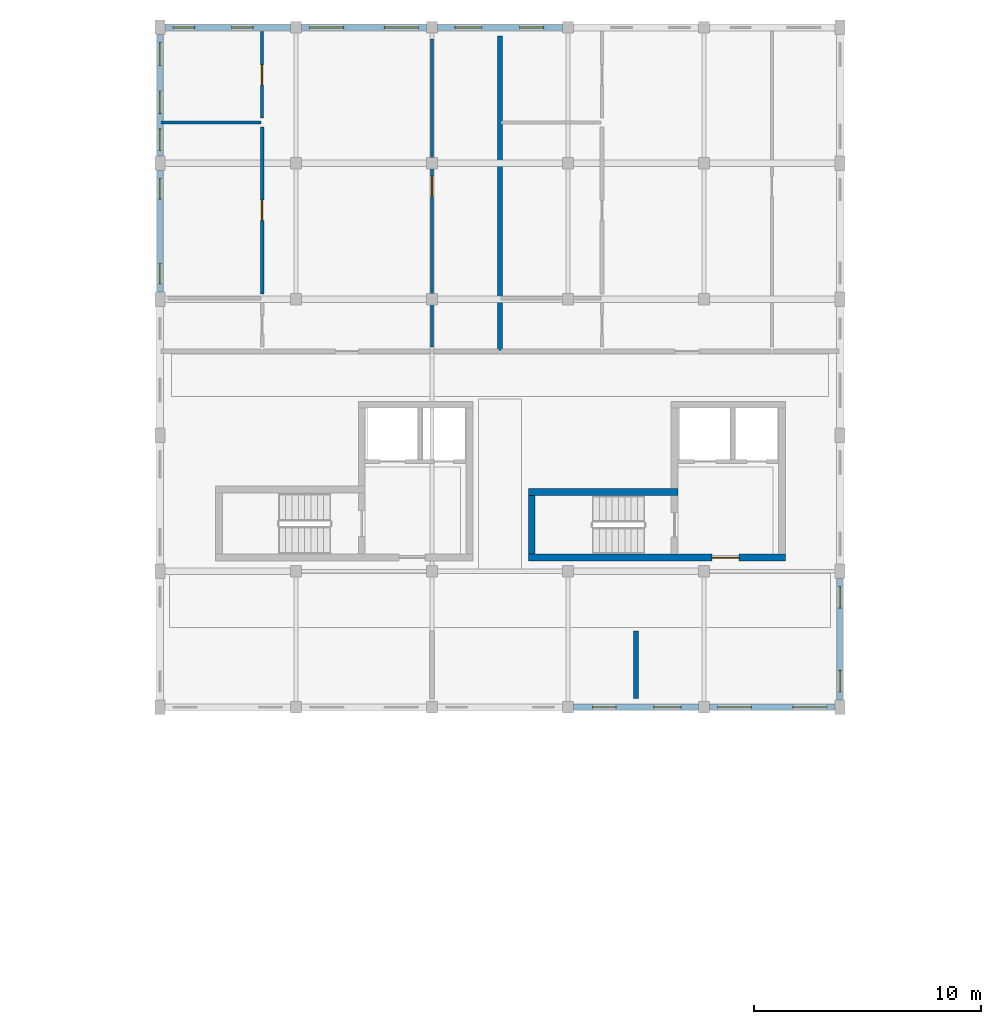
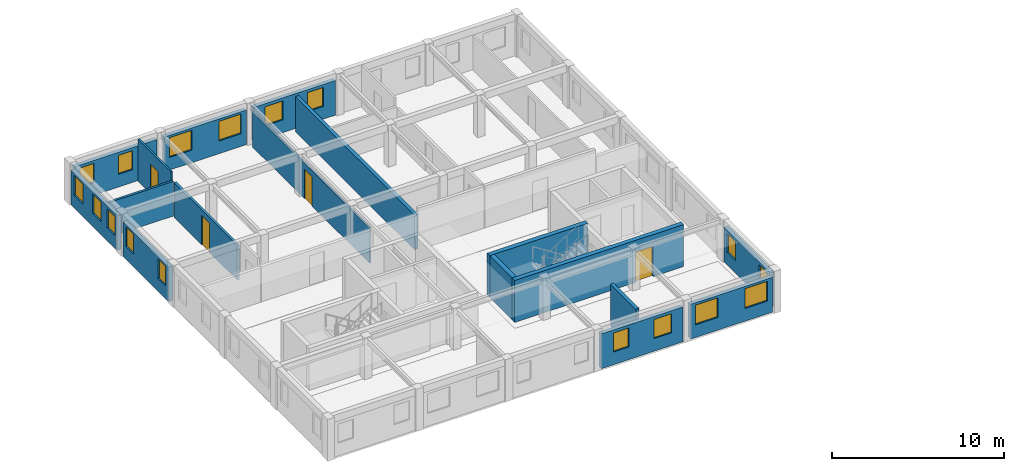
# One storey, part 10 of 17: 17 walls, 17 windows, 4 doors, 21 openings.
"""IFC4 building model written with IfcOpenShell, lengths in metres."""

import ifcopenshell
import ifcopenshell.guid

model = None  # the IFC model being written
_history = None  # IfcOwnerHistory: only IFC2X3 demands one
_inside = {}  # id of a spatial element -> (the spatial element, [elements in it])
_under = {}  # id of a project, library or spatial element -> (it, [spatial elements below it])
_declared = {}  # id of a project -> (the project, [libraries it declares])
_typed = {}  # id of a type object -> (the type object, [elements of that type])
_made_of = {}  # id of a material, layer set ... -> (it, [elements and type objects made of it])


def new_model(schema):
    """Start an empty IFC model of exactly this schema.

    Asked for "IFC4X3", IfcOpenShell would pick the latest addendum, in which some entities
    have other attributes; the version numbers below select the first issue.
    IFC2X3 requires an IfcOwnerHistory on every rooted entity: one is made here for all.
    """
    global model, _history
    if schema == "IFC4X3":
        model = ifcopenshell.file(schema_version=(4, 3, 0, 0))
    else:
        model = ifcopenshell.file(schema=schema)
    _inside.clear()
    _under.clear()
    _declared.clear()
    _typed.clear()
    _made_of.clear()
    _history = None
    if model.schema == "IFC2X3":
        org = make("IfcOrganization", Name="unknown")
        user = make(
            "IfcPersonAndOrganization",
            ThePerson=make("IfcPerson", FamilyName="unknown"),
            TheOrganization=org,
        )
        app = make(
            "IfcApplication",
            ApplicationDeveloper=org,
            Version="unknown",
            ApplicationFullName="unknown",
            ApplicationIdentifier="unknown",
        )
        _history = make(
            "IfcOwnerHistory",
            OwningUser=user,
            OwningApplication=app,
            ChangeAction="ADDED",
            CreationDate=0,
        )
    return model


def make(cls, **values):
    """One entity of the class cls with the attributes given. An attribute that is None is left unset."""
    return model.create_entity(
        cls, **{name: value for name, value in values.items() if value is not None}
    )


def rooted(cls, **values):
    """An entity with a GlobalId (a new one), such as an element, a storey or a relation."""
    return make(cls, GlobalId=ifcopenshell.guid.new(), OwnerHistory=_history, **values)


def si_unit(unit_type, name, prefix=None):
    """IfcSIUnit, for example si_unit("LENGTHUNIT", "METRE", prefix="MILLI")."""
    return make("IfcSIUnit", UnitType=unit_type, Prefix=prefix, Name=name)


def assignment(units):
    """IfcUnitAssignment: the units of a project."""
    return None if units is None else make("IfcUnitAssignment", Units=units)


def point(xyz):
    """IfcCartesianPoint."""
    return None if xyz is None else make("IfcCartesianPoint", Coordinates=xyz)


def direction(xyz):
    """IfcDirection."""
    return None if xyz is None else make("IfcDirection", DirectionRatios=xyz)


def frame(location, z_axis=None, x_axis=None):
    """IfcAxis2Placement3D, a coordinate frame: its origin and axes. An axis left out is left unset."""
    return make(
        "IfcAxis2Placement3D",
        Location=point(location),
        Axis=direction(z_axis),
        RefDirection=direction(x_axis),
    )


def frame_2d(location, x_axis=None):
    """IfcAxis2Placement2D, a coordinate frame in the plane: its origin and x axis."""
    return make(
        "IfcAxis2Placement2D", Location=point(location), RefDirection=direction(x_axis)
    )


def origin():
    """The frame at (0, 0, 0) with its axes left unset."""
    return frame((0.0, 0.0, 0.0))


def place(relative_to, where):
    """IfcLocalPlacement: puts the frame where relative to a parent placement (None: the world)."""
    return make(
        "IfcLocalPlacement", PlacementRelTo=relative_to, RelativePlacement=where
    )


def context(
    kind, dimensions, precision=None, world=None, true_north=None, identifier=None
):
    """IfcGeometricRepresentationContext, for example the 3D "Model" context."""
    return make(
        "IfcGeometricRepresentationContext",
        ContextIdentifier=identifier,
        ContextType=kind,
        CoordinateSpaceDimension=dimensions,
        Precision=precision,
        WorldCoordinateSystem=world,
        TrueNorth=true_north,
    )


def subcontext(parent, identifier, kind, view, scale=None):
    """IfcGeometricRepresentationSubContext, for example "Body" below "Model"."""
    return make(
        "IfcGeometricRepresentationSubContext",
        ContextIdentifier=identifier,
        ContextType=kind,
        ParentContext=parent,
        TargetScale=scale,
        TargetView=view,
    )


def project(units=None, contexts=None):
    """IfcProject with its units and contexts."""
    return rooted(
        "IfcProject",
        Name="project",
        RepresentationContexts=contexts,
        UnitsInContext=assignment(units),
    )


def spatial(cls, under=None, at=None, **own):
    """A site, building, storey or space (cls), placed at a placement, below another one or the project."""
    s = rooted(cls, ObjectPlacement=at, **own)
    if under is not None:
        _under.setdefault(under.id(), (under, []))[1].append(s)
    return s


def profile(cls, at=None, kind="AREA", **sizes):
    """A parametric profile (cls). Its sizes go by their IFC names, for example OverallWidth=200.0."""
    return make(cls, ProfileType=kind, Position=at, **sizes)


def rectangle(**sizes):
    """IfcRectangleProfileDef."""
    return profile("IfcRectangleProfileDef", **sizes)


def extrude(swept, where, along, depth):
    """IfcExtrudedAreaSolid: the profile swept, set in the frame where, extruded along a direction by depth."""
    return make(
        "IfcExtrudedAreaSolid",
        SweptArea=swept,
        Position=where,
        ExtrudedDirection=direction(along),
        Depth=depth,
    )


def shape(context_of_items, identifier, shape_type, items):
    """IfcShapeRepresentation: the items that make up one representation, for example the "Body"."""
    return make(
        "IfcShapeRepresentation",
        ContextOfItems=context_of_items,
        RepresentationIdentifier=identifier,
        RepresentationType=shape_type,
        Items=items,
    )


def material(Name=None, Category=None):
    """IfcMaterial."""
    return make("IfcMaterial", Name=Name, Category=Category)


def layer(
    of_material, thickness, ventilated=None, Name=None, Category=None, Priority=None
):
    """IfcMaterialLayer: one layer of a wall or slab, of a material (None: an air gap)."""
    return make(
        "IfcMaterialLayer",
        Material=of_material,
        LayerThickness=thickness,
        IsVentilated=ventilated,
        Name=Name,
        Category=Category,
        Priority=Priority,
    )


def layer_set(layers, Name=None):
    """IfcMaterialLayerSet."""
    return make("IfcMaterialLayerSet", MaterialLayers=layers, LayerSetName=Name)


def made_of(thing, what):
    """Note that an element or type object is made of a material, layer set ...; save() writes the relation."""
    if what is not None:
        _made_of.setdefault(what.id(), (what, []))[1].append(thing)
    return thing


def type_object(cls, material=None, **own):
    """A type object (cls), such as IfcWallType, which elements share."""
    return made_of(rooted(cls, **own), material)


def element(
    cls,
    number,
    at=None,
    inside=None,
    cuts=None,
    type_object=None,
    material=None,
    context=None,
    identifier="Body",
    shape_type=None,
    held_by="IfcProductDefinitionShape",
    body=None,
    shapes=None,
    **own,
):
    """One element of the class cls, such as IfcWall. Its Tag is "e" and its number.

    at: its placement. inside: the storey or other place that contains it. cuts: it is an
    opening in that element (IfcRelVoidsElement). A single representation is given by context,
    identifier, shape_type and body (its items); several are given by shapes. held_by: the class
    of the entity that holds the representations. save() writes the other relations.
    """
    e = rooted(cls, Tag="e%d" % number, ObjectPlacement=at, **own)
    if body is not None:
        shapes = [shape(context, identifier, shape_type, body)]
    if shapes is not None:
        e.Representation = make(held_by, Representations=shapes)
    if inside is not None:
        _inside.setdefault(inside.id(), (inside, []))[1].append(e)
    if cuts is not None:
        rooted(
            "IfcRelVoidsElement", RelatingBuildingElement=cuts, RelatedOpeningElement=e
        )
    if type_object is not None:
        _typed.setdefault(type_object.id(), (type_object, []))[1].append(e)
    return made_of(e, material)


def fill(opening, filler):
    """IfcRelFillsElement: the door or window that sits in an opening."""
    return rooted(
        "IfcRelFillsElement",
        RelatingOpeningElement=opening,
        RelatedBuildingElement=filler,
    )


def aggregate(whole, parts):
    """IfcRelAggregates: a whole, such as a stair, and the parts it consists of."""
    return rooted("IfcRelAggregates", RelatingObject=whole, RelatedObjects=parts)


def save(model, path):
    """Write the relations noted so far, then the file.

    IfcRelAggregates (storeys below a building ...), IfcRelContainedInSpatialStructure (elements
    in a storey), IfcRelDefinesByType, IfcRelAssociatesMaterial and IfcRelDeclares: one each for
    every whole, place, type object, material and project.
    """
    for whole, parts in _under.values():
        aggregate(whole, parts)
    for where, things in _inside.values():
        rooted(
            "IfcRelContainedInSpatialStructure",
            RelatedElements=things,
            RelatingStructure=where,
        )
    for kind, things in _typed.values():
        rooted("IfcRelDefinesByType", RelatedObjects=things, RelatingType=kind)
    for what, things in _made_of.values():
        rooted("IfcRelAssociatesMaterial", RelatedObjects=things, RelatingMaterial=what)
    for by, libraries in _declared.values():
        rooted("IfcRelDeclares", RelatingContext=by, RelatedDefinitions=libraries)
    model.write(path)


model = new_model("IFC4")

# Units and contexts
model_context = context("Model", 3, precision=1e-05, world=origin(), true_north=direction((0.0, 1.0)))
body_context = subcontext(model_context, "Body", "Model", "MODEL_VIEW")
ifc_project = project(units=[si_unit("LENGTHUNIT", "METRE"), si_unit("AREAUNIT", "SQUARE_METRE"), si_unit("VOLUMEUNIT", "CUBIC_METRE"), si_unit("PLANEANGLEUNIT", "RADIAN"), si_unit("MASSUNIT", "GRAM", prefix="KILO"), si_unit("POWERUNIT", "WATT"), si_unit("THERMODYNAMICTEMPERATUREUNIT", "KELVIN")], contexts=[model_context])

# Site, building, storey
site_placement = place(None, origin())
site = spatial("IfcSite", under=ifc_project, at=site_placement, CompositionType="ELEMENT")
building_placement = place(site_placement, origin())
building = spatial("IfcBuilding", under=site, at=building_placement, Name="Ruvembo Vaulted Housing Court", CompositionType="ELEMENT")
storey_placement = place(building_placement, frame((0.0, 0.0, 30.10009765625)))
storey = spatial("IfcBuildingStorey", under=building, at=storey_placement, Name="L09", CompositionType="ELEMENT", Elevation=30.10009765625)

# Wall, opening, door
ifc_material_1 = material(Name="Concrete C35/45", Category="concrete")
ifc_layer_1 = layer(ifc_material_1, 0.300048828125, Name="Concrete C35/45")
ifc_layer_set_1 = layer_set([ifc_layer_1], Name="Concrete C35/45")
wall_type_1 = type_object("IfcWallType", Name="WL-CORE-300", PredefinedType="SHEAR", material=ifc_layer_set_1)
wall_1_placement = place(storey_placement, frame((64.25, 90.60009765625, 0.0), z_axis=(0.0, 0.0, 1.0), x_axis=(1.0, 0.0, 0.0)))
wall_1 = element("IfcWall", 1, at=wall_1_placement, inside=storey, type_object=wall_type_1, Name="Core B2 L09 South Shear Wall", PredefinedType="SHEAR", context=body_context, shape_type="SweptSolid", body=[
    extrude(rectangle(XDim=11.35009765625, YDim=0.300048828125, at=frame_2d((5.675048828125, 0.0))), origin(), (0.0, 0.0, 1.0), 2.98486328125),
])
opening_1_placement = place(wall_1_placement, frame((8.10009765625, 0.0, 0.0)))
opening_1 = element("IfcOpeningElement", 2, at=opening_1_placement, cuts=wall_1, Name="Opening LD3", PredefinedType="OPENING", context=body_context, shape_type="SweptSolid", body=[
    extrude(rectangle(XDim=1.199951171875, YDim=2.14990234375, at=frame_2d((0.60009765625, 1.074951171875))), frame((0.0, 0.159912109375, 0.0), z_axis=(0.0, -1.0, 0.0), x_axis=(1.0, 0.0, 0.0)), (0.0, 0.0, 1.0), 0.320068359375),
])
ifc_material_2 = material(Name="Galvanised Painted Steel", Category="steel")
door_type_1 = type_object("IfcDoorType", Name="DR-LOB-1200x2150", OperationType="NOTDEFINED", PredefinedType="DOOR", material=ifc_material_2)
door_1_placement = place(opening_1_placement, origin())
door_1 = element("IfcDoor", 3, at=door_1_placement, inside=storey, type_object=door_type_1, Name="Core B2 L09 Lobby Fire Door", OperationType="SINGLE_SWING_RIGHT", OverallHeight=2.14990234375, OverallWidth=1.199951171875, PredefinedType="DOOR", context=body_context, shape_type="SweptSolid", body=[
    extrude(rectangle(XDim=1.199951171875, YDim=2.14990234375, at=frame_2d((0.60009765625, 1.074951171875))), frame((0.0, 0.02490234375, 0.0), z_axis=(0.0, -1.0, 0.0), x_axis=(1.0, 0.0, 0.0)), (0.0, 0.0, 1.0), 0.050048828125),
])
fill(opening_1, door_1)

# Walls
wall_2_placement = place(storey_placement, frame((70.85009765625, 93.5, 0.0), z_axis=(0.0, 0.0, 1.0), x_axis=(-1.0, 0.0, 0.0)))
element("IfcWall", 4, at=wall_2_placement, inside=storey, type_object=wall_type_1, Name="Core B2 L09 Stair North Shear Wall", PredefinedType="SHEAR", context=body_context, shape_type="SweptSolid", body=[
    extrude(rectangle(XDim=6.60009765625, YDim=0.300048828125, at=frame_2d((3.300048828125, 0.0))), origin(), (0.0, 0.0, 1.0), 2.98486328125),
])
wall_3_placement = place(storey_placement, frame((64.39990234375, 93.35009765625, 0.0), z_axis=(0.0, 0.0, 1.0), x_axis=(0.0, -1.0, 0.0)))
element("IfcWall", 5, at=wall_3_placement, inside=storey, type_object=wall_type_1, Name="Core B2 L09 Stair West Shear Wall", PredefinedType="SHEAR", context=body_context, shape_type="SweptSolid", body=[
    extrude(rectangle(XDim=2.60009765625, YDim=0.300048828125, at=frame_2d((1.300048828125, 0.0))), origin(), (0.0, 0.0, 1.0), 2.98486328125),
])
ifc_material_3 = material(Name="Acoustic Masonry Demising 230", Category="masonry")
ifc_layer_2 = layer(ifc_material_3, 0.22998046875, Name="Acoustic Masonry Demising 230")
ifc_layer_set_2 = layer_set([ifc_layer_2], Name="Acoustic Masonry Demising 230")
wall_type_2 = type_object("IfcWallType", Name="WL-DEM-230", PredefinedType="SOLIDWALL", material=ifc_layer_set_2)
wall_4_placement = place(storey_placement, frame((69.0, 84.389892578125, 0.0), z_axis=(0.0, 0.0, 1.0), x_axis=(0.0, 1.0, 0.0)))
element("IfcWall", 6, at=wall_4_placement, inside=storey, type_object=wall_type_2, Name="L09 Demising B-L09-S2 WL-INT-L09-02179", PredefinedType="SOLIDWALL", context=body_context, shape_type="SweptSolid", body=[
    extrude(rectangle(XDim=2.97021484375, YDim=0.22998046875, at=frame_2d((1.485107421875, 0.0))), origin(), (0.0, 0.0, 1.0), 2.98486328125),
])
wall_5_placement = place(storey_placement, frame((63.0, 99.739990234375, 0.0), z_axis=(0.0, 0.0, 1.0), x_axis=(0.0, 1.0, 0.0)))
element("IfcWall", 7, at=wall_5_placement, inside=storey, type_object=wall_type_2, Name="L09 Demising B-L09-N1 WL-INT-L09-02180", PredefinedType="SOLIDWALL", context=body_context, shape_type="SweptSolid", body=[
    extrude(rectangle(XDim=13.8701171875, YDim=0.22998046875, at=frame_2d((6.93505859375, 0.0))), origin(), (0.0, 0.0, 1.0), 2.466796875),
])

# Wall, openings, windows
ifc_material_4 = material(Name="Rendered Masonry 260", Category="masonry")
ifc_layer_3 = layer(ifc_material_4, 0.260009765625, Name="Rendered Masonry 260")
ifc_layer_set_3 = layer_set([ifc_layer_3], Name="Rendered Masonry 260")
wall_type_3 = type_object("IfcWallType", Name="WL-EXT-260", PredefinedType="STANDARD", material=ifc_layer_set_3)
wall_6_placement = place(storey_placement, frame((66.25, 84.0, 0.0), z_axis=(0.0, 0.0, 1.0), x_axis=(1.0, 0.0, 0.0)))
wall_6 = element("IfcWall", 8, at=wall_6_placement, inside=storey, type_object=wall_type_3, Name="Block B L09 Exterior Wall COURTYARD #4", PredefinedType="STANDARD", context=body_context, shape_type="SweptSolid", body=[
    extrude(rectangle(XDim=5.5, YDim=0.260009765625, at=frame_2d((2.75, 0.0))), origin(), (0.0, 0.0, 1.0), 2.466796875),
])
opening_2_placement = place(wall_6_placement, frame((0.830078125, 0.0, 0.89990234375)))
opening_2 = element("IfcOpeningElement", 9, at=opening_2_placement, cuts=wall_6, Name="Opening W09", PredefinedType="OPENING", context=body_context, shape_type="SweptSolid", body=[
    extrude(rectangle(XDim=1.050048828125, YDim=1.35009765625, at=frame_2d((0.52490234375, 0.675048828125))), frame((0.0, 0.139892578125, 0.0), z_axis=(0.0, -1.0, 0.0), x_axis=(1.0, 0.0, 0.0)), (0.0, 0.0, 1.0), 0.280029296875),
])
opening_3_placement = place(wall_6_placement, frame((3.544921875, 0.0, 0.89990234375)))
opening_3 = element("IfcOpeningElement", 10, at=opening_3_placement, cuts=wall_6, Name="Opening W12", PredefinedType="OPENING", context=body_context, shape_type="SweptSolid", body=[
    extrude(rectangle(XDim=1.199951171875, YDim=1.35009765625, at=frame_2d((0.60009765625, 0.675048828125))), frame((0.0, 0.139892578125, 0.0), z_axis=(0.0, -1.0, 0.0), x_axis=(1.0, 0.0, 0.0)), (0.0, 0.0, 1.0), 0.280029296875),
])
ifc_material_5 = material(Name="Double Solar-Control Glazing in Aluminium Frame", Category="aluminium")
window_type_1 = type_object("IfcWindowType", Name="WIN-1050x1350", PartitioningType="SINGLE_PANEL", PredefinedType="WINDOW", material=ifc_material_5)
window_1_placement = place(opening_2_placement, origin())
window_1 = element("IfcWindow", 11, at=window_1_placement, inside=storey, type_object=window_type_1, Name="Block B L09 Window #993", OverallHeight=1.35009765625, OverallWidth=1.050048828125, PartitioningType="SINGLE_PANEL", PredefinedType="WINDOW", context=body_context, shape_type="SweptSolid", body=[
    extrude(rectangle(XDim=1.050048828125, YDim=1.35009765625, at=frame_2d((0.52490234375, 0.675048828125))), frame((0.0, 0.030029296875, 0.0), z_axis=(0.0, -1.0, 0.0), x_axis=(1.0, 0.0, 0.0)), (0.0, 0.0, 1.0), 0.06005859375),
])
fill(opening_2, window_1)
window_type_2 = type_object("IfcWindowType", Name="WIN-1200x1350", PartitioningType="SINGLE_PANEL", PredefinedType="WINDOW", material=ifc_material_5)
window_2_placement = place(opening_3_placement, origin())
window_2 = element("IfcWindow", 12, at=window_2_placement, inside=storey, type_object=window_type_2, Name="Block B L09 Window #994", OverallHeight=1.35009765625, OverallWidth=1.199951171875, PartitioningType="SINGLE_PANEL", PredefinedType="WINDOW", context=body_context, shape_type="SweptSolid", body=[
    extrude(rectangle(XDim=1.199951171875, YDim=1.35009765625, at=frame_2d((0.60009765625, 0.675048828125))), frame((0.0, 0.030029296875, 0.0), z_axis=(0.0, -1.0, 0.0), x_axis=(1.0, 0.0, 0.0)), (0.0, 0.0, 1.0), 0.06005859375),
])
fill(opening_3, window_2)

wall_7_placement = place(storey_placement, frame((72.25, 84.0, 0.0), z_axis=(0.0, 0.0, 1.0), x_axis=(1.0, 0.0, 0.0)))
wall_7 = element("IfcWall", 13, at=wall_7_placement, inside=storey, type_object=wall_type_3, Name="Block B L09 Exterior Wall COURTYARD #5", PredefinedType="STANDARD", context=body_context, shape_type="SweptSolid", body=[
    extrude(rectangle(XDim=5.52490234375, YDim=0.260009765625, at=frame_2d((2.762451171875, 0.0))), origin(), (0.0, 0.0, 1.0), 2.466796875),
])
opening_4_placement = place(wall_7_placement, frame((0.35009765625, 0.0, 0.89990234375)))
opening_4 = element("IfcOpeningElement", 14, at=opening_4_placement, cuts=wall_7, Name="Opening W18", PredefinedType="OPENING", context=body_context, shape_type="SweptSolid", body=[
    extrude(rectangle(XDim=1.5, YDim=1.39990234375, at=frame_2d((0.75, 0.699951171875))), frame((0.0, 0.139892578125, 0.0), z_axis=(0.0, -1.0, 0.0), x_axis=(1.0, 0.0, 0.0)), (0.0, 0.0, 1.0), 0.280029296875),
])
opening_5_placement = place(wall_7_placement, frame((3.675048828125, 0.0, 0.89990234375)))
opening_5 = element("IfcOpeningElement", 15, at=opening_5_placement, cuts=wall_7, Name="Opening W18", PredefinedType="OPENING", context=body_context, shape_type="SweptSolid", body=[
    extrude(rectangle(XDim=1.5, YDim=1.39990234375, at=frame_2d((0.75, 0.699951171875))), frame((0.0, 0.139892578125, 0.0), z_axis=(0.0, -1.0, 0.0), x_axis=(1.0, 0.0, 0.0)), (0.0, 0.0, 1.0), 0.280029296875),
])
window_type_3 = type_object("IfcWindowType", Name="WIN-1500x1400", PartitioningType="SINGLE_PANEL", PredefinedType="WINDOW", material=ifc_material_5)
window_3_placement = place(opening_4_placement, origin())
window_3 = element("IfcWindow", 16, at=window_3_placement, inside=storey, type_object=window_type_3, Name="Block B L09 Window #995", OverallHeight=1.39990234375, OverallWidth=1.5, PartitioningType="SINGLE_PANEL", PredefinedType="WINDOW", context=body_context, shape_type="SweptSolid", body=[
    extrude(rectangle(XDim=1.5, YDim=1.39990234375, at=frame_2d((0.75, 0.699951171875))), frame((0.0, 0.030029296875, 0.0), z_axis=(0.0, -1.0, 0.0), x_axis=(1.0, 0.0, 0.0)), (0.0, 0.0, 1.0), 0.06005859375),
])
fill(opening_4, window_3)
window_4_placement = place(opening_5_placement, origin())
window_4 = element("IfcWindow", 17, at=window_4_placement, inside=storey, type_object=window_type_3, Name="Block B L09 Window #996", OverallHeight=1.39990234375, OverallWidth=1.5, PartitioningType="SINGLE_PANEL", PredefinedType="WINDOW", context=body_context, shape_type="SweptSolid", body=[
    extrude(rectangle(XDim=1.5, YDim=1.39990234375, at=frame_2d((0.75, 0.699951171875))), frame((0.0, 0.030029296875, 0.0), z_axis=(0.0, -1.0, 0.0), x_axis=(1.0, 0.0, 0.0)), (0.0, 0.0, 1.0), 0.06005859375),
])
fill(opening_5, window_4)

wall_8_placement = place(storey_placement, frame((78.0, 84.324951171875, 0.0), z_axis=(0.0, 0.0, 1.0), x_axis=(0.0, 1.0, 0.0)))
wall_8 = element("IfcWall", 18, at=wall_8_placement, inside=storey, type_object=wall_type_3, Name="Block B L09 Exterior Wall EAST #1", PredefinedType="STANDARD", context=body_context, shape_type="SweptSolid", body=[
    extrude(rectangle(XDim=5.35009765625, YDim=0.260009765625, at=frame_2d((2.675048828125, 0.0))), origin(), (0.0, 0.0, 1.0), 2.466796875),
])
opening_6_placement = place(wall_8_placement, frame((0.35009765625, 0.0, 0.89990234375)))
opening_6 = element("IfcOpeningElement", 19, at=opening_6_placement, cuts=wall_8, Name="Opening W07", PredefinedType="OPENING", context=body_context, shape_type="SweptSolid", body=[
    extrude(rectangle(XDim=0.949951171875, YDim=1.35009765625, at=frame_2d((0.47509765625, 0.675048828125))), frame((0.0, 0.139892578125, 0.0), z_axis=(0.0, -1.0, 0.0), x_axis=(1.0, 0.0, 0.0)), (0.0, 0.0, 1.0), 0.280029296875),
])
opening_7_placement = place(wall_8_placement, frame((4.050048828125, 0.0, 0.89990234375)))
opening_7 = element("IfcOpeningElement", 20, at=opening_7_placement, cuts=wall_8, Name="Opening W07", PredefinedType="OPENING", context=body_context, shape_type="SweptSolid", body=[
    extrude(rectangle(XDim=0.949951171875, YDim=1.35009765625, at=frame_2d((0.47509765625, 0.675048828125))), frame((0.0, 0.139892578125, 0.0), z_axis=(0.0, -1.0, 0.0), x_axis=(1.0, 0.0, 0.0)), (0.0, 0.0, 1.0), 0.280029296875),
])
window_type_4 = type_object("IfcWindowType", Name="WIN-0950x1350", PartitioningType="SINGLE_PANEL", PredefinedType="WINDOW", material=ifc_material_5)
window_5_placement = place(opening_6_placement, origin())
window_5 = element("IfcWindow", 21, at=window_5_placement, inside=storey, type_object=window_type_4, Name="Block B L09 Window #997", OverallHeight=1.35009765625, OverallWidth=0.949951171875, PartitioningType="SINGLE_PANEL", PredefinedType="WINDOW", context=body_context, shape_type="SweptSolid", body=[
    extrude(rectangle(XDim=0.949951171875, YDim=1.35009765625, at=frame_2d((0.47509765625, 0.675048828125))), frame((0.0, 0.030029296875, 0.0), z_axis=(0.0, -1.0, 0.0), x_axis=(1.0, 0.0, 0.0)), (0.0, 0.0, 1.0), 0.06005859375),
])
fill(opening_6, window_5)
window_6_placement = place(opening_7_placement, origin())
window_6 = element("IfcWindow", 22, at=window_6_placement, inside=storey, type_object=window_type_4, Name="Block B L09 Window #998", OverallHeight=1.35009765625, OverallWidth=0.949951171875, PartitioningType="SINGLE_PANEL", PredefinedType="WINDOW", context=body_context, shape_type="SweptSolid", body=[
    extrude(rectangle(XDim=0.949951171875, YDim=1.35009765625, at=frame_2d((0.47509765625, 0.675048828125))), frame((0.0, 0.030029296875, 0.0), z_axis=(0.0, -1.0, 0.0), x_axis=(1.0, 0.0, 0.0)), (0.0, 0.0, 1.0), 0.06005859375),
])
fill(opening_7, window_6)

wall_9_placement = place(storey_placement, frame((65.75, 114.0, 0.0), z_axis=(0.0, 0.0, 1.0), x_axis=(-1.0, 0.0, 0.0)))
wall_9 = element("IfcWall", 23, at=wall_9_placement, inside=storey, type_object=wall_type_3, Name="Block B L09 Exterior Wall STREET #3", PredefinedType="STANDARD", context=body_context, shape_type="SweptSolid", body=[
    extrude(rectangle(XDim=5.5, YDim=0.260009765625, at=frame_2d((2.75, 0.0))), origin(), (0.0, 0.0, 1.0), 2.466796875),
])
opening_8_placement = place(wall_9_placement, frame((0.830078125, 0.0, 0.89990234375)))
opening_8 = element("IfcOpeningElement", 24, at=opening_8_placement, cuts=wall_9, Name="Opening W09", PredefinedType="OPENING", context=body_context, shape_type="SweptSolid", body=[
    extrude(rectangle(XDim=1.050048828125, YDim=1.35009765625, at=frame_2d((0.52490234375, 0.675048828125))), frame((0.0, 0.139892578125, 0.0), z_axis=(0.0, -1.0, 0.0), x_axis=(1.0, 0.0, 0.0)), (0.0, 0.0, 1.0), 0.280029296875),
])
opening_9_placement = place(wall_9_placement, frame((3.544921875, 0.0, 0.89990234375)))
opening_9 = element("IfcOpeningElement", 25, at=opening_9_placement, cuts=wall_9, Name="Opening W12", PredefinedType="OPENING", context=body_context, shape_type="SweptSolid", body=[
    extrude(rectangle(XDim=1.199951171875, YDim=1.35009765625, at=frame_2d((0.60009765625, 0.675048828125))), frame((0.0, 0.139892578125, 0.0), z_axis=(0.0, -1.0, 0.0), x_axis=(1.0, 0.0, 0.0)), (0.0, 0.0, 1.0), 0.280029296875),
])
window_7_placement = place(opening_8_placement, origin())
window_7 = element("IfcWindow", 26, at=window_7_placement, inside=storey, type_object=window_type_1, Name="Block B L09 Window #1011", OverallHeight=1.35009765625, OverallWidth=1.050048828125, PartitioningType="SINGLE_PANEL", PredefinedType="WINDOW", context=body_context, shape_type="SweptSolid", body=[
    extrude(rectangle(XDim=1.050048828125, YDim=1.35009765625, at=frame_2d((0.52490234375, 0.675048828125))), frame((0.0, 0.030029296875, 0.0), z_axis=(0.0, -1.0, 0.0), x_axis=(1.0, 0.0, 0.0)), (0.0, 0.0, 1.0), 0.06005859375),
])
fill(opening_8, window_7)
window_8_placement = place(opening_9_placement, origin())
window_8 = element("IfcWindow", 27, at=window_8_placement, inside=storey, type_object=window_type_2, Name="Block B L09 Window #1012", OverallHeight=1.35009765625, OverallWidth=1.199951171875, PartitioningType="SINGLE_PANEL", PredefinedType="WINDOW", context=body_context, shape_type="SweptSolid", body=[
    extrude(rectangle(XDim=1.199951171875, YDim=1.35009765625, at=frame_2d((0.60009765625, 0.675048828125))), frame((0.0, 0.030029296875, 0.0), z_axis=(0.0, -1.0, 0.0), x_axis=(1.0, 0.0, 0.0)), (0.0, 0.0, 1.0), 0.06005859375),
])
fill(opening_9, window_8)

wall_10_placement = place(storey_placement, frame((59.75, 114.0, 0.0), z_axis=(0.0, 0.0, 1.0), x_axis=(-1.0, 0.0, 0.0)))
wall_10 = element("IfcWall", 28, at=wall_10_placement, inside=storey, type_object=wall_type_3, Name="Block B L09 Exterior Wall STREET #4", PredefinedType="STANDARD", context=body_context, shape_type="SweptSolid", body=[
    extrude(rectangle(XDim=5.5, YDim=0.260009765625, at=frame_2d((2.75, 0.0))), origin(), (0.0, 0.0, 1.0), 2.466796875),
])
opening_10_placement = place(wall_10_placement, frame((0.35009765625, 0.0, 0.89990234375)))
opening_10 = element("IfcOpeningElement", 29, at=opening_10_placement, cuts=wall_10, Name="Opening W18", PredefinedType="OPENING", context=body_context, shape_type="SweptSolid", body=[
    extrude(rectangle(XDim=1.5, YDim=1.39990234375, at=frame_2d((0.75, 0.699951171875))), frame((0.0, 0.139892578125, 0.0), z_axis=(0.0, -1.0, 0.0), x_axis=(1.0, 0.0, 0.0)), (0.0, 0.0, 1.0), 0.280029296875),
])
opening_11_placement = place(wall_10_placement, frame((3.64990234375, 0.0, 0.89990234375)))
opening_11 = element("IfcOpeningElement", 30, at=opening_11_placement, cuts=wall_10, Name="Opening W18", PredefinedType="OPENING", context=body_context, shape_type="SweptSolid", body=[
    extrude(rectangle(XDim=1.5, YDim=1.39990234375, at=frame_2d((0.75, 0.699951171875))), frame((0.0, 0.139892578125, 0.0), z_axis=(0.0, -1.0, 0.0), x_axis=(1.0, 0.0, 0.0)), (0.0, 0.0, 1.0), 0.280029296875),
])
window_9_placement = place(opening_10_placement, origin())
window_9 = element("IfcWindow", 31, at=window_9_placement, inside=storey, type_object=window_type_3, Name="Block B L09 Window #1013", OverallHeight=1.39990234375, OverallWidth=1.5, PartitioningType="SINGLE_PANEL", PredefinedType="WINDOW", context=body_context, shape_type="SweptSolid", body=[
    extrude(rectangle(XDim=1.5, YDim=1.39990234375, at=frame_2d((0.75, 0.699951171875))), frame((0.0, 0.030029296875, 0.0), z_axis=(0.0, -1.0, 0.0), x_axis=(1.0, 0.0, 0.0)), (0.0, 0.0, 1.0), 0.06005859375),
])
fill(opening_10, window_9)
window_10_placement = place(opening_11_placement, origin())
window_10 = element("IfcWindow", 32, at=window_10_placement, inside=storey, type_object=window_type_3, Name="Block B L09 Window #1014", OverallHeight=1.39990234375, OverallWidth=1.5, PartitioningType="SINGLE_PANEL", PredefinedType="WINDOW", context=body_context, shape_type="SweptSolid", body=[
    extrude(rectangle(XDim=1.5, YDim=1.39990234375, at=frame_2d((0.75, 0.699951171875))), frame((0.0, 0.030029296875, 0.0), z_axis=(0.0, -1.0, 0.0), x_axis=(1.0, 0.0, 0.0)), (0.0, 0.0, 1.0), 0.06005859375),
])
fill(opening_11, window_10)

wall_11_placement = place(storey_placement, frame((53.75, 114.0, 0.0), z_axis=(0.0, 0.0, 1.0), x_axis=(-1.0, 0.0, 0.0)))
wall_11 = element("IfcWall", 33, at=wall_11_placement, inside=storey, type_object=wall_type_3, Name="Block B L09 Exterior Wall STREET #5", PredefinedType="STANDARD", context=body_context, shape_type="SweptSolid", body=[
    extrude(rectangle(XDim=5.52490234375, YDim=0.260009765625, at=frame_2d((2.762451171875, 0.0))), origin(), (0.0, 0.0, 1.0), 2.466796875),
])
opening_12_placement = place(wall_11_placement, frame((1.639892578125, 0.0, 0.89990234375)))
opening_12 = element("IfcOpeningElement", 34, at=opening_12_placement, cuts=wall_11, Name="Opening W07", PredefinedType="OPENING", context=body_context, shape_type="SweptSolid", body=[
    extrude(rectangle(XDim=0.949951171875, YDim=1.35009765625, at=frame_2d((0.47509765625, 0.675048828125))), frame((0.0, 0.139892578125, 0.0), z_axis=(0.0, -1.0, 0.0), x_axis=(1.0, 0.0, 0.0)), (0.0, 0.0, 1.0), 0.280029296875),
])
opening_13_placement = place(wall_11_placement, frame((4.22509765625, 0.0, 0.89990234375)))
opening_13 = element("IfcOpeningElement", 35, at=opening_13_placement, cuts=wall_11, Name="Opening W07", PredefinedType="OPENING", context=body_context, shape_type="SweptSolid", body=[
    extrude(rectangle(XDim=0.949951171875, YDim=1.35009765625, at=frame_2d((0.47509765625, 0.675048828125))), frame((0.0, 0.139892578125, 0.0), z_axis=(0.0, -1.0, 0.0), x_axis=(1.0, 0.0, 0.0)), (0.0, 0.0, 1.0), 0.280029296875),
])
window_11_placement = place(opening_12_placement, origin())
window_11 = element("IfcWindow", 36, at=window_11_placement, inside=storey, type_object=window_type_4, Name="Block B L09 Window #1015", OverallHeight=1.35009765625, OverallWidth=0.949951171875, PartitioningType="SINGLE_PANEL", PredefinedType="WINDOW", context=body_context, shape_type="SweptSolid", body=[
    extrude(rectangle(XDim=0.949951171875, YDim=1.35009765625, at=frame_2d((0.47509765625, 0.675048828125))), frame((0.0, 0.030029296875, 0.0), z_axis=(0.0, -1.0, 0.0), x_axis=(1.0, 0.0, 0.0)), (0.0, 0.0, 1.0), 0.06005859375),
])
fill(opening_12, window_11)
window_12_placement = place(opening_13_placement, origin())
window_12 = element("IfcWindow", 37, at=window_12_placement, inside=storey, type_object=window_type_4, Name="Block B L09 Window #1016", OverallHeight=1.35009765625, OverallWidth=0.949951171875, PartitioningType="SINGLE_PANEL", PredefinedType="WINDOW", context=body_context, shape_type="SweptSolid", body=[
    extrude(rectangle(XDim=0.949951171875, YDim=1.35009765625, at=frame_2d((0.47509765625, 0.675048828125))), frame((0.0, 0.030029296875, 0.0), z_axis=(0.0, -1.0, 0.0), x_axis=(1.0, 0.0, 0.0)), (0.0, 0.0, 1.0), 0.06005859375),
])
fill(opening_13, window_12)

wall_12_placement = place(storey_placement, frame((48.0, 113.675048828125, 0.0), z_axis=(0.0, 0.0, 1.0), x_axis=(0.0, -1.0, 0.0)))
wall_12 = element("IfcWall", 38, at=wall_12_placement, inside=storey, type_object=wall_type_3, Name="Block B L09 Exterior Wall WEST #1", PredefinedType="STANDARD", context=body_context, shape_type="SweptSolid", body=[
    extrude(rectangle(XDim=5.35009765625, YDim=0.260009765625, at=frame_2d((2.675048828125, 0.0))), origin(), (0.0, 0.0, 1.0), 2.466796875),
])
opening_14_placement = place(wall_12_placement, frame((0.35009765625, 0.0, 0.89990234375)))
opening_14 = element("IfcOpeningElement", 39, at=opening_14_placement, cuts=wall_12, Name="Opening W08", PredefinedType="OPENING", context=body_context, shape_type="SweptSolid", body=[
    extrude(rectangle(XDim=1.0, YDim=1.39990234375, at=frame_2d((0.5, 0.699951171875))), frame((0.0, 0.139892578125, 0.0), z_axis=(0.0, -1.0, 0.0), x_axis=(1.0, 0.0, 0.0)), (0.0, 0.0, 1.0), 0.280029296875),
])
opening_15_placement = place(wall_12_placement, frame((2.485107421875, 0.0, 0.89990234375)))
opening_15 = element("IfcOpeningElement", 40, at=opening_15_placement, cuts=wall_12, Name="Opening W08", PredefinedType="OPENING", context=body_context, shape_type="SweptSolid", body=[
    extrude(rectangle(XDim=1.0, YDim=1.39990234375, at=frame_2d((0.5, 0.699951171875))), frame((0.0, 0.139892578125, 0.0), z_axis=(0.0, -1.0, 0.0), x_axis=(1.0, 0.0, 0.0)), (0.0, 0.0, 1.0), 0.280029296875),
])
opening_16_placement = place(wall_12_placement, frame((4.157470703125, 0.0, 0.89990234375)))
opening_16 = element("IfcOpeningElement", 41, at=opening_16_placement, cuts=wall_12, Name="Opening W07", PredefinedType="OPENING", context=body_context, shape_type="SweptSolid", body=[
    extrude(rectangle(XDim=0.949951171875, YDim=1.35009765625, at=frame_2d((0.47509765625, 0.675048828125))), frame((0.0, 0.139892578125, 0.0), z_axis=(0.0, -1.0, 0.0), x_axis=(1.0, 0.0, 0.0)), (0.0, 0.0, 1.0), 0.280029296875),
])
window_13_placement = place(opening_16_placement, origin())
window_13 = element("IfcWindow", 42, at=window_13_placement, inside=storey, type_object=window_type_4, Name="Block B L09 Window #1019", OverallHeight=1.35009765625, OverallWidth=0.949951171875, PartitioningType="SINGLE_PANEL", PredefinedType="WINDOW", context=body_context, shape_type="SweptSolid", body=[
    extrude(rectangle(XDim=0.949951171875, YDim=1.35009765625, at=frame_2d((0.47509765625, 0.675048828125))), frame((0.0, 0.030029296875, 0.0), z_axis=(0.0, -1.0, 0.0), x_axis=(1.0, 0.0, 0.0)), (0.0, 0.0, 1.0), 0.06005859375),
])
fill(opening_16, window_13)
window_type_5 = type_object("IfcWindowType", Name="WIN-1000x1400", PartitioningType="SINGLE_PANEL", PredefinedType="WINDOW", material=ifc_material_5)
window_14_placement = place(opening_14_placement, origin())
window_14 = element("IfcWindow", 43, at=window_14_placement, inside=storey, type_object=window_type_5, Name="Block B L09 Window #1017", OverallHeight=1.39990234375, OverallWidth=1.0, PartitioningType="SINGLE_PANEL", PredefinedType="WINDOW", context=body_context, shape_type="SweptSolid", body=[
    extrude(rectangle(XDim=1.0, YDim=1.39990234375, at=frame_2d((0.5, 0.699951171875))), frame((0.0, 0.030029296875, 0.0), z_axis=(0.0, -1.0, 0.0), x_axis=(1.0, 0.0, 0.0)), (0.0, 0.0, 1.0), 0.06005859375),
])
fill(opening_14, window_14)
window_15_placement = place(opening_15_placement, origin())
window_15 = element("IfcWindow", 44, at=window_15_placement, inside=storey, type_object=window_type_5, Name="Block B L09 Window #1018", OverallHeight=1.39990234375, OverallWidth=1.0, PartitioningType="SINGLE_PANEL", PredefinedType="WINDOW", context=body_context, shape_type="SweptSolid", body=[
    extrude(rectangle(XDim=1.0, YDim=1.39990234375, at=frame_2d((0.5, 0.699951171875))), frame((0.0, 0.030029296875, 0.0), z_axis=(0.0, -1.0, 0.0), x_axis=(1.0, 0.0, 0.0)), (0.0, 0.0, 1.0), 0.06005859375),
])
fill(opening_15, window_15)

wall_13_placement = place(storey_placement, frame((48.0, 107.675048828125, 0.0), z_axis=(0.0, 0.0, 1.0), x_axis=(0.0, -1.0, 0.0)))
wall_13 = element("IfcWall", 45, at=wall_13_placement, inside=storey, type_object=wall_type_3, Name="Block B L09 Exterior Wall WEST #2", PredefinedType="STANDARD", context=body_context, shape_type="SweptSolid", body=[
    extrude(rectangle(XDim=5.35009765625, YDim=0.260009765625, at=frame_2d((2.675048828125, 0.0))), origin(), (0.0, 0.0, 1.0), 2.466796875),
])
opening_17_placement = place(wall_13_placement, frame((0.35009765625, 0.0, 0.89990234375)))
opening_17 = element("IfcOpeningElement", 46, at=opening_17_placement, cuts=wall_13, Name="Opening W05", PredefinedType="OPENING", context=body_context, shape_type="SweptSolid", body=[
    extrude(rectangle(XDim=0.89990234375, YDim=1.39990234375, at=frame_2d((0.449951171875, 0.699951171875))), frame((0.0, 0.139892578125, 0.0), z_axis=(0.0, -1.0, 0.0), x_axis=(1.0, 0.0, 0.0)), (0.0, 0.0, 1.0), 0.280029296875),
])
opening_18_placement = place(wall_13_placement, frame((4.10009765625, 0.0, 0.89990234375)))
opening_18 = element("IfcOpeningElement", 47, at=opening_18_placement, cuts=wall_13, Name="Opening W05", PredefinedType="OPENING", context=body_context, shape_type="SweptSolid", body=[
    extrude(rectangle(XDim=0.89990234375, YDim=1.39990234375, at=frame_2d((0.449951171875, 0.699951171875))), frame((0.0, 0.139892578125, 0.0), z_axis=(0.0, -1.0, 0.0), x_axis=(1.0, 0.0, 0.0)), (0.0, 0.0, 1.0), 0.280029296875),
])
window_type_6 = type_object("IfcWindowType", Name="WIN-0900x1400", PartitioningType="SINGLE_PANEL", PredefinedType="WINDOW", material=ifc_material_5)
window_16_placement = place(opening_17_placement, origin())
window_16 = element("IfcWindow", 48, at=window_16_placement, inside=storey, type_object=window_type_6, Name="Block B L09 Window #1020", OverallHeight=1.39990234375, OverallWidth=0.89990234375, PartitioningType="SINGLE_PANEL", PredefinedType="WINDOW", context=body_context, shape_type="SweptSolid", body=[
    extrude(rectangle(XDim=0.89990234375, YDim=1.39990234375, at=frame_2d((0.449951171875, 0.699951171875))), frame((0.0, 0.030029296875, 0.0), z_axis=(0.0, -1.0, 0.0), x_axis=(1.0, 0.0, 0.0)), (0.0, 0.0, 1.0), 0.06005859375),
])
fill(opening_17, window_16)
window_17_placement = place(opening_18_placement, origin())
window_17 = element("IfcWindow", 49, at=window_17_placement, inside=storey, type_object=window_type_6, Name="Block B L09 Window #1021", OverallHeight=1.39990234375, OverallWidth=0.89990234375, PartitioningType="SINGLE_PANEL", PredefinedType="WINDOW", context=body_context, shape_type="SweptSolid", body=[
    extrude(rectangle(XDim=0.89990234375, YDim=1.39990234375, at=frame_2d((0.449951171875, 0.699951171875))), frame((0.0, 0.030029296875, 0.0), z_axis=(0.0, -1.0, 0.0), x_axis=(1.0, 0.0, 0.0)), (0.0, 0.0, 1.0), 0.06005859375),
])
fill(opening_18, window_17)

# Wall, opening, door
ifc_material_6 = material(Name="Plasterboard Stud Partition 125", Category="gypsum")
ifc_layer_4 = layer(ifc_material_6, 0.125, Name="Plasterboard Stud Partition 125")
ifc_layer_set_4 = layer_set([ifc_layer_4], Name="Plasterboard Stud Partition 125")
wall_type_4 = type_object("IfcWallType", Name="WL-PART-125", PredefinedType="PARTITIONING", material=ifc_layer_set_4)
wall_14_placement = place(storey_placement, frame((52.5, 109.989990234375, 0.0), z_axis=(0.0, 0.0, 1.0), x_axis=(0.0, 1.0, 0.0)))
wall_14 = element("IfcWall", 50, at=wall_14_placement, inside=storey, type_object=wall_type_4, Name="L09 Flat B-L09-N1 Bedroom 1 WL-INT-L09-02183", PredefinedType="PARTITIONING", context=body_context, shape_type="SweptSolid", body=[
    extrude(rectangle(XDim=3.820068359375, YDim=0.125, at=frame_2d((1.91015625, 0.0))), origin(), (0.0, 0.0, 1.0), 2.98486328125),
])
opening_19_placement = place(wall_14_placement, frame((1.469970703125, 0.0, 0.0)))
opening_19 = element("IfcOpeningElement", 51, at=opening_19_placement, cuts=wall_14, Name="Opening ID3", PredefinedType="OPENING", context=body_context, shape_type="SweptSolid", body=[
    extrude(rectangle(XDim=0.8798828125, YDim=2.10009765625, at=frame_2d((0.43994140625, 1.050048828125))), frame((0.0, 0.072509765625, 0.0), z_axis=(0.0, -1.0, 0.0), x_axis=(1.0, 0.0, 0.0)), (0.0, 0.0, 1.0), 0.14501953125),
])
ifc_material_7 = material(Name="FSC Hardwood and Engineered Timber", Category="wood")
door_type_2 = type_object("IfcDoorType", Name="DR-ROOM-0880x2100", OperationType="NOTDEFINED", PredefinedType="DOOR", material=ifc_material_7)
door_2_placement = place(opening_19_placement, origin())
door_2 = element("IfcDoor", 52, at=door_2_placement, inside=storey, type_object=door_type_2, Name="L09 Flat B-L09-N1 Bedroom 1 Door DR-INT-L09-01213", OperationType="SINGLE_SWING_LEFT", OverallHeight=2.10009765625, OverallWidth=0.8798828125, PredefinedType="DOOR", context=body_context, shape_type="SweptSolid", body=[
    extrude(rectangle(XDim=0.8798828125, YDim=2.10009765625, at=frame_2d((0.43994140625, 1.050048828125))), frame((0.0, 0.02490234375, 0.0), z_axis=(0.0, -1.0, 0.0), x_axis=(1.0, 0.0, 0.0)), (0.0, 0.0, 1.0), 0.050048828125),
])
fill(opening_19, door_2)

wall_15_placement = place(storey_placement, frame((60.0, 99.889892578125, 0.0), z_axis=(0.0, 0.0, 1.0), x_axis=(0.0, 1.0, 0.0)))
wall_15 = element("IfcWall", 53, at=wall_15_placement, inside=storey, type_object=wall_type_4, Name="L09 Flat B-L09-N1 Bedroom 2 WL-INT-L09-02189", PredefinedType="PARTITIONING", context=body_context, shape_type="SweptSolid", body=[
    extrude(rectangle(XDim=13.60009765625, YDim=0.125, at=frame_2d((6.800048828125, 0.0))), origin(), (0.0, 0.0, 1.0), 2.5078125),
])
opening_20_placement = place(wall_15_placement, frame((6.64990234375, 0.0, 0.0)))
opening_20 = element("IfcOpeningElement", 54, at=opening_20_placement, cuts=wall_15, Name="Opening ID1", PredefinedType="OPENING", context=body_context, shape_type="SweptSolid", body=[
    extrude(rectangle(XDim=0.89990234375, YDim=2.10009765625, at=frame_2d((0.449951171875, 1.050048828125))), frame((0.0, 0.072509765625, 0.0), z_axis=(0.0, -1.0, 0.0), x_axis=(1.0, 0.0, 0.0)), (0.0, 0.0, 1.0), 0.14501953125),
])
door_type_3 = type_object("IfcDoorType", Name="DR-ROOM-0900x2100", OperationType="NOTDEFINED", PredefinedType="DOOR", material=ifc_material_7)
door_3_placement = place(opening_20_placement, origin())
door_3 = element("IfcDoor", 55, at=door_3_placement, inside=storey, type_object=door_type_3, Name="L09 Flat B-L09-N1 Bedroom 2 Door DR-INT-L09-01216", OperationType="SINGLE_SWING_RIGHT", OverallHeight=2.10009765625, OverallWidth=0.89990234375, PredefinedType="DOOR", context=body_context, shape_type="SweptSolid", body=[
    extrude(rectangle(XDim=0.89990234375, YDim=2.10009765625, at=frame_2d((0.449951171875, 1.050048828125))), frame((0.0, 0.02490234375, 0.0), z_axis=(0.0, -1.0, 0.0), x_axis=(1.0, 0.0, 0.0)), (0.0, 0.0, 1.0), 0.050048828125),
])
fill(opening_20, door_3)

# Wall
ifc_material_8 = material(Name="Moisture-Resistant Wet Partition 150", Category="gypsum")
ifc_layer_5 = layer(ifc_material_8, 0.14990234375, Name="Moisture-Resistant Wet Partition 150")
ifc_layer_set_5 = layer_set([ifc_layer_5], Name="Moisture-Resistant Wet Partition 150")
wall_type_5 = type_object("IfcWallType", Name="WL-PART-150", PredefinedType="PARTITIONING", material=ifc_layer_set_5)
wall_16_placement = place(storey_placement, frame((48.0400390625, 109.800048828125, 0.0), z_axis=(0.0, 0.0, 1.0), x_axis=(1.0, 0.0, 0.0)))
element("IfcWall", 56, at=wall_16_placement, inside=storey, type_object=wall_type_5, Name="L09 Flat B-L09-N1 Wet Wall 1 WL-INT-L09-02186", PredefinedType="PARTITIONING", context=body_context, shape_type="SweptSolid", body=[
    extrude(rectangle(XDim=4.419921875, YDim=0.14990234375, at=frame_2d((2.2099609375, 0.0))), origin(), (0.0, 0.0, 1.0), 2.466796875),
])

# Wall, opening, door
ifc_material_9 = material(Name="Acoustic Service Chase Wall 160", Category="gypsum")
ifc_layer_6 = layer(ifc_material_9, 0.159912109375, Name="Acoustic Service Chase Wall 160")
ifc_layer_set_6 = layer_set([ifc_layer_6], Name="Acoustic Service Chase Wall 160")
wall_type_6 = type_object("IfcWallType", Name="WL-PLUMB-160", PredefinedType="PLUMBINGWALL", material=ifc_layer_set_6)
wall_17_placement = place(storey_placement, frame((52.5, 102.239990234375, 0.0), z_axis=(0.0, 0.0, 1.0), x_axis=(0.0, 1.0, 0.0)))
wall_17 = element("IfcWall", 57, at=wall_17_placement, inside=storey, type_object=wall_type_6, Name="L09 Flat B-L09-N1 Kitchen WL-INT-L09-02184", PredefinedType="PLUMBINGWALL", context=body_context, shape_type="SweptSolid", body=[
    extrude(rectangle(XDim=7.3701171875, YDim=0.159912109375, at=frame_2d((3.68505859375, 0.0))), origin(), (0.0, 0.0, 1.0), 2.466796875),
])
opening_21_placement = place(wall_17_placement, frame((3.235107421875, 0.0, 0.0)))
opening_21 = element("IfcOpeningElement", 58, at=opening_21_placement, cuts=wall_17, Name="Opening ID1", PredefinedType="OPENING", context=body_context, shape_type="SweptSolid", body=[
    extrude(rectangle(XDim=0.89990234375, YDim=2.10009765625, at=frame_2d((0.449951171875, 1.050048828125))), frame((0.0, 0.08984375, 0.0), z_axis=(0.0, -1.0, 0.0), x_axis=(1.0, 0.0, 0.0)), (0.0, 0.0, 1.0), 0.179931640625),
])
door_4_placement = place(opening_21_placement, origin())
door_4 = element("IfcDoor", 59, at=door_4_placement, inside=storey, type_object=door_type_3, Name="L09 Flat B-L09-N1 Kitchen Door DR-INT-L09-01214", OperationType="SINGLE_SWING_RIGHT", OverallHeight=2.10009765625, OverallWidth=0.89990234375, PredefinedType="DOOR", context=body_context, shape_type="SweptSolid", body=[
    extrude(rectangle(XDim=0.89990234375, YDim=2.10009765625, at=frame_2d((0.449951171875, 1.050048828125))), frame((0.0, 0.02490234375, 0.0), z_axis=(0.0, -1.0, 0.0), x_axis=(1.0, 0.0, 0.0)), (0.0, 0.0, 1.0), 0.050048828125),
])
fill(opening_21, door_4)

save(model, "model.ifc")
